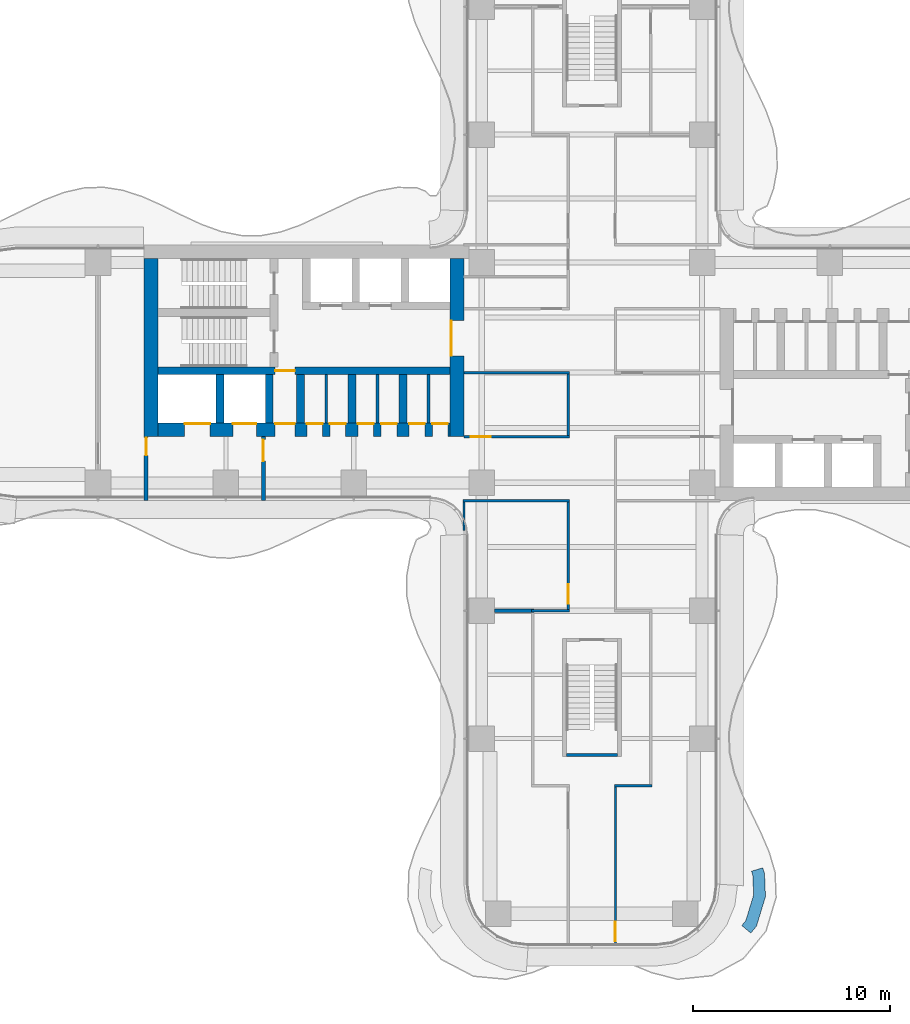
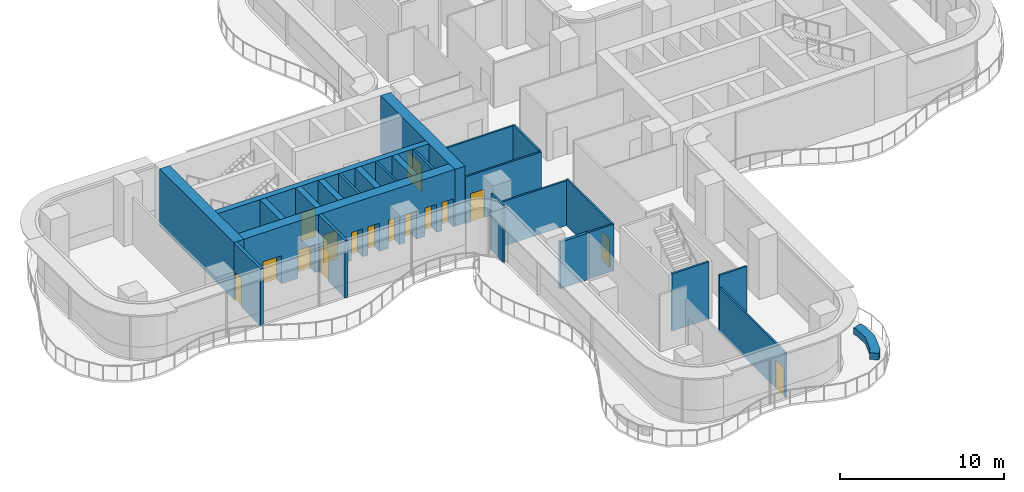
# One storey, part 16 of 21: 26 walls, 16 doors, 16 openings.
"""IFC4 building model written with IfcOpenShell, lengths in metres."""

from ifc_helpers import new_model, si_unit, direction, frame, frame_2d, origin, place, context, subcontext, project, spatial, polyline, rectangle, outline, extrude, source, transform, mapped, material, layer, layer_set, type_object, element, fill, save


model = new_model("IFC4")

# Units and contexts
model_context = context("Model", 3, precision=1e-05, world=origin(), true_north=direction((0.0, 1.0)))
body_context = subcontext(model_context, "Body", "Model", "MODEL_VIEW")
ifc_project = project(units=[si_unit("LENGTHUNIT", "METRE"), si_unit("AREAUNIT", "SQUARE_METRE"), si_unit("VOLUMEUNIT", "CUBIC_METRE"), si_unit("PLANEANGLEUNIT", "RADIAN"), si_unit("MASSUNIT", "GRAM", prefix="KILO")], contexts=[model_context])

# Site, building, storey
site_placement = place(None, origin())
site = spatial("IfcSite", under=ifc_project, at=site_placement, CompositionType="ELEMENT")
building_placement = place(site_placement, origin())
building = spatial("IfcBuilding", under=site, at=building_placement, Name="Trellis Farm Tower", CompositionType="ELEMENT")
storey_placement = place(building_placement, frame((0.0, 0.0, 115.5)))
storey = spatial("IfcBuildingStorey", under=building, at=storey_placement, Name="L24", CompositionType="ELEMENT", Elevation=115.5)

# Wall
ifc_material_1 = material(Name="Sandstone faced masonry planter", Category="masonry")
ifc_layer_1 = layer(ifc_material_1, 0.60009765625)
ifc_layer_set_1 = layer_set([ifc_layer_1], Name="PLANTER BED 600")
wall_type_1 = type_object("IfcWallType", Name="PLANTER BED 600", PredefinedType="USERDEFINED", material=ifc_layer_set_1)
wall_1_placement = place(storey_placement, origin())
element("IfcWall", 1, at=wall_1_placement, inside=storey, type_object=wall_type_1, Name="PLANTER bed", ObjectType="PLANTER", PredefinedType="USERDEFINED", context=body_context, shape_type="SweptSolid", body=[
    extrude(outline(polyline([(8.822998046875, -26.627685546875), (8.363525390625, -28.135498046875), (8.07666015625, -28.4814453125), (7.61474609375, -28.098388671875), (7.82470703125, -27.84521484375), (8.21923828125, -26.550048828125), (8.179443359375, -25.559814453125), (8.112548828125, -25.335205078125), (8.6875, -25.163818359375), (8.77587890625, -25.460693359375), (8.822998046875, -26.627685546875)])), origin(), (0.0, 0.0, 1.0), 0.5),
])

# Wall, opening, door
ifc_material_2 = material(Name="Concrete C70/85", Category="concrete")
ifc_layer_2 = layer(ifc_material_2, 0.699951171875)
ifc_layer_set_2 = layer_set([ifc_layer_2], Name="CORE OUTER WALL 700 CONCRETE C70/85")
wall_type_2 = type_object("IfcWallType", Name="CORE OUTER WALL 700 CONCRETE C70/85", PredefinedType="SHEAR", material=ifc_layer_set_2)
shared_shape_1 = source(origin(), body_context, "Body", "SweptSolid", [
    extrude(rectangle(XDim=9.050048828125, YDim=0.699951171875, at=frame_2d((4.52490234375, 0.0))), origin(), (0.0, 0.0, 1.0), 4.25),
])
wall_2_placement = place(storey_placement, frame((-6.85009765625, 5.800048828125, 0.0), z_axis=(0.0, 0.0, 1.0), x_axis=(0.0, -1.0, 0.0)))
wall_2 = element("IfcWall", 2, at=wall_2_placement, inside=storey, type_object=wall_type_2, Name="Core wall", PredefinedType="SHEAR", context=body_context, shape_type="MappedRepresentation", body=[
    mapped(shared_shape_1, transform((0.0, 0.0, 0.0))),
])
shared_shape_2 = source(origin(), body_context, "Body", "SweptSolid", [
    extrude(rectangle(XDim=1.800048828125, YDim=2.10009765625, at=frame_2d((0.89990234375, 1.050048828125))), frame((0.0, 0.360107421875, 0.0), z_axis=(0.0, -1.0, 0.0), x_axis=(1.0, 0.0, 0.0)), (0.0, 0.0, 1.0), 0.72021484375),
])
opening_1_placement = place(wall_2_placement, frame((3.14990234375, 0.0, 0.0)))
opening_1 = element("IfcOpeningElement", 3, at=opening_1_placement, cuts=wall_2, Name="Opening DC87", PredefinedType="OPENING", context=body_context, shape_type="MappedRepresentation", body=[
    mapped(shared_shape_2, transform((0.0, 0.0, 0.0))),
])
ifc_material_3 = material(Name="Steel", Category="steel")
door_type_1 = type_object("IfcDoorType", Name="CORE FIRE DOOR DOUBLE 1800 X 2100", OperationType="DOUBLE_DOOR_SINGLE_SWING", PredefinedType="DOOR", material=ifc_material_3)
shared_shape_3 = source(origin(), body_context, "Body", "SweptSolid", [
    extrude(rectangle(XDim=1.800048828125, YDim=2.10009765625, at=frame_2d((0.89990234375, 1.050048828125))), frame((0.0, -0.27490234375, 0.0), z_axis=(0.0, -1.0, 0.0), x_axis=(1.0, 0.0, 0.0)), (0.0, 0.0, 1.0), 0.050048828125),
])
door_1_placement = place(opening_1_placement, origin())
door_1 = element("IfcDoor", 4, at=door_1_placement, inside=storey, type_object=door_type_1, Name="Core door", OperationType="DOUBLE_DOOR_SINGLE_SWING", OverallHeight=2.10009765625, OverallWidth=1.800048828125, PredefinedType="DOOR", context=body_context, shape_type="MappedRepresentation", body=[
    mapped(shared_shape_3, transform((0.0, 0.0, 0.0))),
])
fill(opening_1, door_1)

# Walls
wall_3_placement = place(storey_placement, frame((-22.39990234375, 5.800048828125, 0.0), z_axis=(0.0, 0.0, 1.0), x_axis=(0.0, -1.0, 0.0)))
element("IfcWall", 5, at=wall_3_placement, inside=storey, type_object=wall_type_2, Name="Core wall", PredefinedType="SHEAR", context=body_context, shape_type="MappedRepresentation", body=[
    mapped(shared_shape_1, transform((0.0, 0.0, 0.0))),
])
ifc_layer_3 = layer(ifc_material_2, 0.39990234375)
ifc_layer_set_3 = layer_set([ifc_layer_3], Name="CORE INNER WALL 400 CONCRETE C70/85")
wall_type_3 = type_object("IfcWallType", Name="CORE INNER WALL 400 CONCRETE C70/85", PredefinedType="SHEAR", material=ifc_layer_set_3)
shared_shape_4 = source(origin(), body_context, "Body", "SweptSolid", [
    extrude(rectangle(XDim=2.449951171875, YDim=0.39990234375, at=frame_2d((1.22509765625, 0.0))), origin(), (0.0, 0.0, 1.0), 4.25),
])
for number, where, z_axis, x_axis, name in (
    (6, (-9.60009765625, -0.10009765625, 0.0), (0.0, 0.0, 1.0), (0.0, -1.0, 0.0), "Core wall"),
    (7, (-12.199951171875, -0.10009765625, 0.0), (0.0, 0.0, 1.0), (0.0, -1.0, 0.0), "Core wall"),
    (8, (-14.800048828125, -0.10009765625, 0.0), (0.0, 0.0, 1.0), (0.0, -1.0, 0.0), "Core wall"),
    (9, (-16.39990234375, -0.10009765625, 0.0), (0.0, 0.0, 1.0), (0.0, -1.0, 0.0), "Core wall"),
    (10, (-18.89990234375, -0.10009765625, 0.0), (0.0, 0.0, 1.0), (0.0, -1.0, 0.0), "Core wall"),
):
    element("IfcWall", number, at=place(storey_placement, frame(where, z_axis=z_axis, x_axis=x_axis)), inside=storey, type_object=wall_type_3, Name=name, PredefinedType="SHEAR", context=body_context, shape_type="MappedRepresentation", body=[
        mapped(shared_shape_4, transform((0.0, 0.0, 0.0))),
    ])

# Wall, opening, door
ifc_material_4 = material(Name="Masonry blockwork", Category="masonry")
ifc_layer_4 = layer(ifc_material_4, 0.199951171875)
ifc_layer_set_4 = layer_set([ifc_layer_4], Name="FIRE LOBBY PARTITION 200 BLOCKWORK")
wall_type_4 = type_object("IfcWallType", Name="FIRE LOBBY PARTITION 200 BLOCKWORK", PredefinedType="PARTITIONING", material=ifc_layer_set_4)
shared_shape_5 = source(origin(), body_context, "Body", "SweptSolid", [
    extrude(rectangle(XDim=3.25, YDim=0.199951171875, at=frame_2d((1.625, 0.0))), origin(), (0.0, 0.0, 1.0), 4.25),
])
wall_4_placement = place(storey_placement, frame((-16.699951171875, -3.25, 0.0), z_axis=(0.0, 0.0, 1.0), x_axis=(0.0, -1.0, 0.0)))
wall_4 = element("IfcWall", 11, at=wall_4_placement, inside=storey, type_object=wall_type_4, Name="Fire-fighting lobby partition", PredefinedType="PARTITIONING", context=body_context, shape_type="MappedRepresentation", body=[
    mapped(shared_shape_5, transform((0.0, 0.0, 0.0))),
])
shared_shape_6 = source(origin(), body_context, "Body", "SweptSolid", [
    extrude(rectangle(XDim=1.10009765625, YDim=2.10009765625, at=frame_2d((0.550048828125, 1.050048828125))), frame((0.0, 0.110107421875, 0.0), z_axis=(0.0, -1.0, 0.0), x_axis=(1.0, 0.0, 0.0)), (0.0, 0.0, 1.0), 0.22021484375),
])
opening_2_placement = place(wall_4_placement, frame((0.14990234375, 0.0, 0.0)))
opening_2 = element("IfcOpeningElement", 12, at=opening_2_placement, cuts=wall_4, Name="Opening DC93", PredefinedType="OPENING", context=body_context, shape_type="MappedRepresentation", body=[
    mapped(shared_shape_6, transform((0.0, 0.0, 0.0))),
])
door_type_2 = type_object("IfcDoorType", Name="CORE FIRE DOOR 1100 X 2100", OperationType="NOTDEFINED", PredefinedType="DOOR", material=ifc_material_3)
shared_shape_7 = source(origin(), body_context, "Body", "SweptSolid", [
    extrude(rectangle(XDim=1.10009765625, YDim=2.10009765625, at=frame_2d((0.550048828125, 1.050048828125))), frame((0.0, 0.02490234375, 0.0), z_axis=(0.0, -1.0, 0.0), x_axis=(1.0, 0.0, 0.0)), (0.0, 0.0, 1.0), 0.050048828125),
])
door_2_placement = place(opening_2_placement, origin())
door_2 = element("IfcDoor", 13, at=door_2_placement, inside=storey, type_object=door_type_2, Name="Core door", OperationType="SINGLE_SWING_RIGHT", OverallHeight=2.10009765625, OverallWidth=1.10009765625, PredefinedType="DOOR", context=body_context, shape_type="MappedRepresentation", body=[
    mapped(shared_shape_7, transform((0.0, 0.0, 0.0))),
])
fill(opening_2, door_2)

wall_5_placement = place(storey_placement, frame((-22.64990234375, -3.25, 0.0), z_axis=(0.0, 0.0, 1.0), x_axis=(0.0, -1.0, 0.0)))
wall_5 = element("IfcWall", 14, at=wall_5_placement, inside=storey, type_object=wall_type_4, Name="Fire-fighting lobby partition", PredefinedType="PARTITIONING", context=body_context, shape_type="MappedRepresentation", body=[
    mapped(shared_shape_5, transform((0.0, 0.0, 0.0))),
])
shared_shape_8 = source(origin(), body_context, "Body", "SweptSolid", [
    extrude(rectangle(XDim=0.89990234375, YDim=2.10009765625, at=frame_2d((0.449951171875, 1.050048828125))), frame((0.0, 0.110107421875, 0.0), z_axis=(0.0, -1.0, 0.0), x_axis=(1.0, 0.0, 0.0)), (0.0, 0.0, 1.0), 0.22021484375),
])
opening_3_placement = place(wall_5_placement, frame((0.050048828125, 0.0, 0.0)))
opening_3 = element("IfcOpeningElement", 15, at=opening_3_placement, cuts=wall_5, Name="Opening DC94", PredefinedType="OPENING", context=body_context, shape_type="MappedRepresentation", body=[
    mapped(shared_shape_8, transform((0.0, 0.0, 0.0))),
])
door_type_3 = type_object("IfcDoorType", Name="CORE FIRE DOOR 900 X 2100", OperationType="NOTDEFINED", PredefinedType="DOOR", material=ifc_material_3)
shared_shape_9 = source(origin(), body_context, "Body", "SweptSolid", [
    extrude(rectangle(XDim=0.89990234375, YDim=2.10009765625, at=frame_2d((0.449951171875, 1.050048828125))), frame((0.0, 0.02490234375, 0.0), z_axis=(0.0, -1.0, 0.0), x_axis=(1.0, 0.0, 0.0)), (0.0, 0.0, 1.0), 0.050048828125),
])
door_3_placement = place(opening_3_placement, origin())
door_3 = element("IfcDoor", 16, at=door_3_placement, inside=storey, type_object=door_type_3, Name="Core door", OperationType="SINGLE_SWING_RIGHT", OverallHeight=2.10009765625, OverallWidth=0.89990234375, PredefinedType="DOOR", context=body_context, shape_type="MappedRepresentation", body=[
    mapped(shared_shape_9, transform((0.0, 0.0, 0.0))),
])
fill(opening_3, door_3)

# Wall, openings, doors
shared_shape_10 = source(origin(), body_context, "Body", "SweptSolid", [
    extrude(rectangle(XDim=14.85009765625, YDim=0.699951171875, at=frame_2d((7.425048828125, 0.0))), origin(), (0.0, 0.0, 1.0), 4.25),
])
wall_6_placement = place(storey_placement, frame((-7.199951171875, -2.89990234375, 0.0), z_axis=(0.0, 0.0, 1.0), x_axis=(-1.0, 0.0, 0.0)))
wall_6 = element("IfcWall", 17, at=wall_6_placement, inside=storey, type_object=wall_type_2, Name="Core wall", PredefinedType="SHEAR", context=body_context, shape_type="MappedRepresentation", body=[
    mapped(shared_shape_10, transform((0.0, 0.0, 0.0))),
])
shared_shape_11 = source(origin(), body_context, "Body", "SweptSolid", [
    extrude(rectangle(XDim=1.300048828125, YDim=2.10009765625, at=frame_2d((0.64990234375, 1.050048828125))), frame((0.0, 0.360107421875, 0.0), z_axis=(0.0, -1.0, 0.0), x_axis=(1.0, 0.0, 0.0)), (0.0, 0.0, 1.0), 0.72021484375),
])
opening_4_placement = place(wall_6_placement, frame((12.199951171875, 0.0, 0.0)))
opening_4 = element("IfcOpeningElement", 18, at=opening_4_placement, cuts=wall_6, Name="Opening LD15", PredefinedType="OPENING", context=body_context, shape_type="MappedRepresentation", body=[
    mapped(shared_shape_11, transform((0.0, 0.0, 0.0))),
])
shared_shape_12 = source(origin(), body_context, "Body", "SweptSolid", [
    extrude(rectangle(XDim=1.199951171875, YDim=2.10009765625, at=frame_2d((0.60009765625, 1.050048828125))), frame((0.0, 0.360107421875, 0.0), z_axis=(0.0, -1.0, 0.0), x_axis=(1.0, 0.0, 0.0)), (0.0, 0.0, 1.0), 0.72021484375),
])
opening_5_placement = place(wall_6_placement, frame((9.85009765625, 0.0, 0.0)))
opening_5 = element("IfcOpeningElement", 19, at=opening_5_placement, cuts=wall_6, Name="Opening LD16", PredefinedType="OPENING", context=body_context, shape_type="MappedRepresentation", body=[
    mapped(shared_shape_12, transform((0.0, 0.0, 0.0))),
])
shared_shape_13 = source(origin(), body_context, "Body", "SweptSolid", [
    extrude(rectangle(XDim=1.0, YDim=2.10009765625, at=frame_2d((0.5, 1.050048828125))), frame((0.0, 0.360107421875, 0.0), z_axis=(0.0, -1.0, 0.0), x_axis=(1.0, 0.0, 0.0)), (0.0, 0.0, 1.0), 0.72021484375),
])
opening_6_placement = place(wall_6_placement, frame((7.89990234375, 0.0, 0.0)))
opening_6 = element("IfcOpeningElement", 20, at=opening_6_placement, cuts=wall_6, Name="Opening DC92", PredefinedType="OPENING", context=body_context, shape_type="MappedRepresentation", body=[
    mapped(shared_shape_13, transform((0.0, 0.0, 0.0))),
])
shared_shape_14 = source(origin(), body_context, "Body", "SweptSolid", [
    extrude(rectangle(XDim=0.800048828125, YDim=2.10009765625, at=frame_2d((0.39990234375, 1.050048828125))), frame((0.0, 0.360107421875, 0.0), z_axis=(0.0, -1.0, 0.0), x_axis=(1.0, 0.0, 0.0)), (0.0, 0.0, 1.0), 0.72021484375),
])
opening_7_placement = place(wall_6_placement, frame((0.112548828125, 0.0, 0.0)))
opening_7 = element("IfcOpeningElement", 21, at=opening_7_placement, cuts=wall_6, Name="Opening DC95", PredefinedType="OPENING", context=body_context, shape_type="MappedRepresentation", body=[
    mapped(shared_shape_14, transform((0.0, 0.0, 0.0))),
])
opening_8_placement = place(wall_6_placement, frame((1.28759765625, 0.0, 0.0)))
opening_8 = element("IfcOpeningElement", 22, at=opening_8_placement, cuts=wall_6, Name="Opening DC102", PredefinedType="OPENING", context=body_context, shape_type="MappedRepresentation", body=[
    mapped(shared_shape_14, transform((0.0, 0.0, 0.0))),
])
opening_9_placement = place(wall_6_placement, frame((2.71240234375, 0.0, 0.0)))
opening_9 = element("IfcOpeningElement", 23, at=opening_9_placement, cuts=wall_6, Name="Opening DC107", PredefinedType="OPENING", context=body_context, shape_type="MappedRepresentation", body=[
    mapped(shared_shape_14, transform((0.0, 0.0, 0.0))),
])
opening_10_placement = place(wall_6_placement, frame((3.887451171875, 0.0, 0.0)))
opening_10 = element("IfcOpeningElement", 24, at=opening_10_placement, cuts=wall_6, Name="Opening DC114", PredefinedType="OPENING", context=body_context, shape_type="MappedRepresentation", body=[
    mapped(shared_shape_14, transform((0.0, 0.0, 0.0))),
])
opening_11_placement = place(wall_6_placement, frame((5.3125, 0.0, 0.0)))
opening_11 = element("IfcOpeningElement", 25, at=opening_11_placement, cuts=wall_6, Name="Opening DC119", PredefinedType="OPENING", context=body_context, shape_type="MappedRepresentation", body=[
    mapped(shared_shape_14, transform((0.0, 0.0, 0.0))),
])
opening_12_placement = place(wall_6_placement, frame((6.487548828125, 0.0, 0.0)))
opening_12 = element("IfcOpeningElement", 26, at=opening_12_placement, cuts=wall_6, Name="Opening DC126", PredefinedType="OPENING", context=body_context, shape_type="MappedRepresentation", body=[
    mapped(shared_shape_14, transform((0.0, 0.0, 0.0))),
])
door_type_4 = type_object("IfcDoorType", Name="CORE FIRE DOOR 1000 X 2100", OperationType="NOTDEFINED", PredefinedType="DOOR", material=ifc_material_3)
shared_shape_15 = source(origin(), body_context, "Body", "SweptSolid", [
    extrude(rectangle(XDim=1.0, YDim=2.10009765625, at=frame_2d((0.5, 1.050048828125))), frame((0.0, -0.27490234375, 0.0), z_axis=(0.0, -1.0, 0.0), x_axis=(1.0, 0.0, 0.0)), (0.0, 0.0, 1.0), 0.050048828125),
])
door_4_placement = place(opening_6_placement, origin())
door_4 = element("IfcDoor", 27, at=door_4_placement, inside=storey, type_object=door_type_4, Name="Core door", OperationType="SINGLE_SWING_LEFT", OverallHeight=2.10009765625, OverallWidth=1.0, PredefinedType="DOOR", context=body_context, shape_type="MappedRepresentation", body=[
    mapped(shared_shape_15, transform((0.0, 0.0, 0.0))),
])
fill(opening_6, door_4)
ifc_material_5 = material(Name="Stainless steel", Category="steel")
door_type_5 = type_object("IfcDoorType", Name="LIFT LANDING DOOR 1300 X 2100", OperationType="DOUBLE_DOOR_SLIDING", PredefinedType="DOOR", material=ifc_material_5)
shared_shape_16 = source(origin(), body_context, "Body", "SweptSolid", [
    extrude(rectangle(XDim=1.300048828125, YDim=2.10009765625, at=frame_2d((0.64990234375, 1.050048828125))), frame((0.0, -0.27490234375, 0.0), z_axis=(0.0, -1.0, 0.0), x_axis=(1.0, 0.0, 0.0)), (0.0, 0.0, 1.0), 0.050048828125),
])
door_5_placement = place(opening_4_placement, origin())
door_5 = element("IfcDoor", 28, at=door_5_placement, inside=storey, type_object=door_type_5, Name="Lift landing door", OperationType="DOUBLE_DOOR_SLIDING", OverallHeight=2.10009765625, OverallWidth=1.300048828125, PredefinedType="DOOR", context=body_context, shape_type="MappedRepresentation", body=[
    mapped(shared_shape_16, transform((0.0, 0.0, 0.0))),
])
fill(opening_4, door_5)
door_type_6 = type_object("IfcDoorType", Name="LIFT LANDING DOOR 1200 X 2100", OperationType="DOUBLE_DOOR_SLIDING", PredefinedType="DOOR", material=ifc_material_5)
shared_shape_17 = source(origin(), body_context, "Body", "SweptSolid", [
    extrude(rectangle(XDim=1.199951171875, YDim=2.10009765625, at=frame_2d((0.60009765625, 1.050048828125))), frame((0.0, -0.27490234375, 0.0), z_axis=(0.0, -1.0, 0.0), x_axis=(1.0, 0.0, 0.0)), (0.0, 0.0, 1.0), 0.050048828125),
])
door_6_placement = place(opening_5_placement, origin())
door_6 = element("IfcDoor", 29, at=door_6_placement, inside=storey, type_object=door_type_6, Name="Lift landing door", OperationType="DOUBLE_DOOR_SLIDING", OverallHeight=2.10009765625, OverallWidth=1.199951171875, PredefinedType="DOOR", context=body_context, shape_type="MappedRepresentation", body=[
    mapped(shared_shape_17, transform((0.0, 0.0, 0.0))),
])
fill(opening_5, door_6)
door_type_7 = type_object("IfcDoorType", Name="CORE FIRE DOOR 800 X 2100", OperationType="NOTDEFINED", PredefinedType="DOOR", material=ifc_material_3)
shared_shape_18 = source(origin(), body_context, "Body", "SweptSolid", [
    extrude(rectangle(XDim=0.800048828125, YDim=2.10009765625, at=frame_2d((0.39990234375, 1.050048828125))), frame((0.0, -0.27490234375, 0.0), z_axis=(0.0, -1.0, 0.0), x_axis=(1.0, 0.0, 0.0)), (0.0, 0.0, 1.0), 0.050048828125),
])
door_7_placement = place(opening_7_placement, origin())
door_7 = element("IfcDoor", 30, at=door_7_placement, inside=storey, type_object=door_type_7, Name="Core door", OperationType="SINGLE_SWING_LEFT", OverallHeight=2.10009765625, OverallWidth=0.800048828125, PredefinedType="DOOR", context=body_context, shape_type="MappedRepresentation", body=[
    mapped(shared_shape_18, transform((0.0, 0.0, 0.0))),
])
fill(opening_7, door_7)
door_8_placement = place(opening_8_placement, origin())
door_8 = element("IfcDoor", 31, at=door_8_placement, inside=storey, type_object=door_type_7, Name="Core door", OperationType="SINGLE_SWING_RIGHT", OverallHeight=2.10009765625, OverallWidth=0.800048828125, PredefinedType="DOOR", context=body_context, shape_type="MappedRepresentation", body=[
    mapped(shared_shape_18, transform((0.0, 0.0, 0.0))),
])
fill(opening_8, door_8)
door_9_placement = place(opening_9_placement, origin())
door_9 = element("IfcDoor", 32, at=door_9_placement, inside=storey, type_object=door_type_7, Name="Core door", OperationType="SINGLE_SWING_LEFT", OverallHeight=2.10009765625, OverallWidth=0.800048828125, PredefinedType="DOOR", context=body_context, shape_type="MappedRepresentation", body=[
    mapped(shared_shape_18, transform((0.0, 0.0, 0.0))),
])
fill(opening_9, door_9)
door_10_placement = place(opening_10_placement, origin())
door_10 = element("IfcDoor", 33, at=door_10_placement, inside=storey, type_object=door_type_7, Name="Core door", OperationType="SINGLE_SWING_RIGHT", OverallHeight=2.10009765625, OverallWidth=0.800048828125, PredefinedType="DOOR", context=body_context, shape_type="MappedRepresentation", body=[
    mapped(shared_shape_18, transform((0.0, 0.0, 0.0))),
])
fill(opening_10, door_10)
door_11_placement = place(opening_11_placement, origin())
door_11 = element("IfcDoor", 34, at=door_11_placement, inside=storey, type_object=door_type_7, Name="Core door", OperationType="SINGLE_SWING_LEFT", OverallHeight=2.10009765625, OverallWidth=0.800048828125, PredefinedType="DOOR", context=body_context, shape_type="MappedRepresentation", body=[
    mapped(shared_shape_18, transform((0.0, 0.0, 0.0))),
])
fill(opening_11, door_11)
door_12_placement = place(opening_12_placement, origin())
door_12 = element("IfcDoor", 35, at=door_12_placement, inside=storey, type_object=door_type_7, Name="Core door", OperationType="SINGLE_SWING_RIGHT", OverallHeight=2.10009765625, OverallWidth=0.800048828125, PredefinedType="DOOR", context=body_context, shape_type="MappedRepresentation", body=[
    mapped(shared_shape_18, transform((0.0, 0.0, 0.0))),
])
fill(opening_12, door_12)

# Wall, opening, door
shared_shape_19 = source(origin(), body_context, "Body", "SweptSolid", [
    extrude(rectangle(XDim=14.85009765625, YDim=0.39990234375, at=frame_2d((7.425048828125, 0.0))), origin(), (0.0, 0.0, 1.0), 4.25),
])
wall_7_placement = place(storey_placement, frame((-7.199951171875, 0.10009765625, 0.0), z_axis=(0.0, 0.0, 1.0), x_axis=(-1.0, 0.0, 0.0)))
wall_7 = element("IfcWall", 36, at=wall_7_placement, inside=storey, type_object=wall_type_3, Name="Core wall", PredefinedType="SHEAR", context=body_context, shape_type="MappedRepresentation", body=[
    mapped(shared_shape_19, transform((0.0, 0.0, 0.0))),
])
shared_shape_20 = source(origin(), body_context, "Body", "SweptSolid", [
    extrude(rectangle(XDim=1.0, YDim=2.10009765625, at=frame_2d((0.5, 1.050048828125))), frame((0.0, 0.2099609375, 0.0), z_axis=(0.0, -1.0, 0.0), x_axis=(1.0, 0.0, 0.0)), (0.0, 0.0, 1.0), 0.419921875),
])
opening_13_placement = place(wall_7_placement, frame((7.89990234375, 0.0, 0.0)))
opening_13 = element("IfcOpeningElement", 37, at=opening_13_placement, cuts=wall_7, Name="Opening DC91", PredefinedType="OPENING", context=body_context, shape_type="MappedRepresentation", body=[
    mapped(shared_shape_20, transform((0.0, 0.0, 0.0))),
])
shared_shape_21 = source(origin(), body_context, "Body", "SweptSolid", [
    extrude(rectangle(XDim=1.0, YDim=2.10009765625, at=frame_2d((0.5, 1.050048828125))), frame((0.0, 0.02490234375, 0.0), z_axis=(0.0, -1.0, 0.0), x_axis=(1.0, 0.0, 0.0)), (0.0, 0.0, 1.0), 0.050048828125),
])
door_13_placement = place(opening_13_placement, origin())
door_13 = element("IfcDoor", 38, at=door_13_placement, inside=storey, type_object=door_type_4, Name="Core door", OperationType="SINGLE_SWING_RIGHT", OverallHeight=2.10009765625, OverallWidth=1.0, PredefinedType="DOOR", context=body_context, shape_type="MappedRepresentation", body=[
    mapped(shared_shape_21, transform((0.0, 0.0, 0.0))),
])
fill(opening_13, door_13)

# Walls
ifc_layer_5 = layer(ifc_material_4, 0.14990234375)
ifc_layer_set_5 = layer_set([ifc_layer_5], Name="CORE PARTITION 150 BLOCKWORK")
wall_type_5 = type_object("IfcWallType", Name="CORE PARTITION 150 BLOCKWORK", PredefinedType="PARTITIONING", material=ifc_layer_set_5)
shared_shape_22 = source(origin(), body_context, "Body", "SweptSolid", [
    extrude(rectangle(XDim=2.449951171875, YDim=0.14990234375, at=frame_2d((1.22509765625, 0.0))), origin(), (0.0, 0.0, 1.0), 4.25),
])
for number, where, z_axis, x_axis, name in (
    (39, (-8.300048828125, -0.10009765625, 0.0), (0.0, 0.0, 1.0), (0.0, -1.0, 0.0), "Core room partition"),
    (40, (-10.89990234375, -0.10009765625, 0.0), (0.0, 0.0, 1.0), (0.0, -1.0, 0.0), "Core room partition"),
    (41, (-13.5, -0.10009765625, 0.0), (0.0, 0.0, 1.0), (0.0, -1.0, 0.0), "Core room partition"),
):
    element("IfcWall", number, at=place(storey_placement, frame(where, z_axis=z_axis, x_axis=x_axis)), inside=storey, type_object=wall_type_5, Name=name, PredefinedType="PARTITIONING", context=body_context, shape_type="MappedRepresentation", body=[
        mapped(shared_shape_22, transform((0.0, 0.0, 0.0))),
    ])
ifc_layer_6 = layer(ifc_material_2, 0.14990234375)
ifc_layer_set_6 = layer_set([ifc_layer_6], Name="CORE STAIR ENCLOSURE WALL 150 CONCRETE C70/85")
wall_type_6 = type_object("IfcWallType", Name="CORE STAIR ENCLOSURE WALL 150 CONCRETE C70/85", PredefinedType="SHEAR", material=ifc_layer_set_6)
shared_shape_23 = source(origin(), body_context, "Body", "SweptSolid", [
    extrude(rectangle(XDim=2.60009765625, YDim=0.14990234375, at=frame_2d((1.300048828125, 0.0))), origin(), (0.0, 0.0, 1.0), 4.25),
])
wall_8_placement = place(storey_placement, frame((1.300048828125, -19.425048828125, 0.0), z_axis=(0.0, 0.0, 1.0), x_axis=(-1.0, 0.0, 0.0)))
element("IfcWall", 42, at=wall_8_placement, inside=storey, type_object=wall_type_6, Name="Stair enclosure wall", PredefinedType="SHEAR", context=body_context, shape_type="MappedRepresentation", body=[
    mapped(shared_shape_23, transform((0.0, 0.0, 0.0))),
])
ifc_material_6 = material(Name="Plasterboard on steel studs, mineral wool", Category="steel")
ifc_layer_7 = layer(ifc_material_6, 0.125)
ifc_layer_set_7 = layer_set([ifc_layer_7], Name="PARTITION 125 STUD EI 60")
wall_type_7 = type_object("IfcWallType", Name="PARTITION 125 STUD EI 60", PredefinedType="PARTITIONING", material=ifc_layer_set_7)
shared_shape_24 = source(origin(), body_context, "Body", "SweptSolid", [
    extrude(rectangle(XDim=3.125, YDim=0.125, at=frame_2d((1.5625, 0.0))), origin(), (0.0, 0.0, 1.0), 3.54638671875),
])
wall_9_placement = place(storey_placement, frame((-1.199951171875, -0.0625, 0.0), z_axis=(0.0, 0.0, 1.0), x_axis=(0.0, -1.0, 0.0)))
element("IfcWall", 43, at=wall_9_placement, inside=storey, type_object=wall_type_7, Name="Partition PW1", PredefinedType="PARTITIONING", context=body_context, shape_type="MappedRepresentation", body=[
    mapped(shared_shape_24, transform((0.0, 0.0, 0.0))),
])

# Wall, opening, door
shared_shape_25 = source(origin(), body_context, "Body", "SweptSolid", [
    extrude(rectangle(XDim=5.47509765625, YDim=0.125, at=frame_2d((2.737548828125, 0.0))), origin(), (0.0, 0.0, 1.0), 3.4677734375),
])
wall_10_placement = place(storey_placement, frame((-1.199951171875, -6.5625, 0.0), z_axis=(0.0, 0.0, 1.0), x_axis=(0.0, -1.0, 0.0)))
wall_10 = element("IfcWall", 44, at=wall_10_placement, inside=storey, type_object=wall_type_7, Name="Partition PW1", PredefinedType="PARTITIONING", context=body_context, shape_type="MappedRepresentation", body=[
    mapped(shared_shape_25, transform((0.0, 0.0, 0.0))),
])
shared_shape_26 = source(origin(), body_context, "Body", "SweptSolid", [
    extrude(rectangle(XDim=1.0, YDim=2.10009765625, at=frame_2d((0.5, 1.050048828125))), frame((0.0, 0.072509765625, 0.0), z_axis=(0.0, -1.0, 0.0), x_axis=(1.0, 0.0, 0.0)), (0.0, 0.0, 1.0), 0.14501953125),
])
opening_14_placement = place(wall_10_placement, frame((4.1875, 0.0, 0.0)))
opening_14 = element("IfcOpeningElement", 45, at=opening_14_placement, cuts=wall_10, Name="Opening D301", PredefinedType="OPENING", context=body_context, shape_type="MappedRepresentation", body=[
    mapped(shared_shape_26, transform((0.0, 0.0, 0.0))),
])
ifc_material_7 = material(Name="Fire-rated timber door leaf in a hollow metal frame", Category="wood")
door_type_8 = type_object("IfcDoorType", Name="DOOR 1000x2100 FD60", OperationType="NOTDEFINED", PredefinedType="DOOR", material=ifc_material_7)
door_14_placement = place(opening_14_placement, origin())
door_14 = element("IfcDoor", 46, at=door_14_placement, inside=storey, type_object=door_type_8, Name="Door D301", OperationType="SINGLE_SWING_RIGHT", OverallHeight=2.10009765625, OverallWidth=1.0, PredefinedType="DOOR", context=body_context, shape_type="MappedRepresentation", body=[
    mapped(shared_shape_21, transform((0.0, 0.0, 0.0))),
])
fill(opening_14, door_14)

# Walls
shared_shape_27 = source(origin(), body_context, "Body", "SweptSolid", [
    extrude(rectangle(XDim=1.468994140625, YDim=0.125, at=frame_2d((0.734375, 0.0))), origin(), (0.0, 0.0, 1.0), 4.25),
])
wall_11_placement = place(storey_placement, frame((-6.5, -6.5625, 0.0), z_axis=(0.0, 0.0, 1.0), x_axis=(0.0, -1.0, 0.0)))
element("IfcWall", 47, at=wall_11_placement, inside=storey, type_object=wall_type_7, Name="Partition PW1", PredefinedType="PARTITIONING", context=body_context, shape_type="MappedRepresentation", body=[
    mapped(shared_shape_27, transform((0.0, 0.0, 0.0))),
])
shared_shape_28 = source(origin(), body_context, "Body", "SweptSolid", [
    extrude(rectangle(XDim=1.925048828125, YDim=0.125, at=frame_2d((0.96240234375, 0.0))), origin(), (0.0, 0.0, 1.0), 3.4677734375),
])
wall_12_placement = place(storey_placement, frame((-3.0625, -12.10009765625, 0.0), z_axis=(0.0, 0.0, 1.0), x_axis=(1.0, 0.0, 0.0)))
element("IfcWall", 48, at=wall_12_placement, inside=storey, type_object=wall_type_7, Name="Partition PW1", PredefinedType="PARTITIONING", context=body_context, shape_type="MappedRepresentation", body=[
    mapped(shared_shape_28, transform((0.0, 0.0, 0.0))),
])

# Wall, opening, door
shared_shape_29 = source(origin(), body_context, "Body", "SweptSolid", [
    extrude(rectangle(XDim=5.362548828125, YDim=0.125, at=frame_2d((2.68115234375, 0.0))), origin(), (0.0, 0.0, 1.0), 3.4677734375),
])
wall_13_placement = place(storey_placement, frame((-1.137451171875, -3.25, 0.0), z_axis=(0.0, 0.0, 1.0), x_axis=(-1.0, 0.0, 0.0)))
wall_13 = element("IfcWall", 49, at=wall_13_placement, inside=storey, type_object=wall_type_7, Name="Partition PW1", PredefinedType="PARTITIONING", context=body_context, shape_type="MappedRepresentation", body=[
    mapped(shared_shape_29, transform((0.0, 0.0, 0.0))),
])
opening_15_placement = place(wall_13_placement, frame((4.012451171875, 0.0, 0.0)))
opening_15 = element("IfcOpeningElement", 50, at=opening_15_placement, cuts=wall_13, Name="Opening D103", PredefinedType="OPENING", context=body_context, shape_type="MappedRepresentation", body=[
    mapped(shared_shape_26, transform((0.0, 0.0, 0.0))),
])
door_type_9 = type_object("IfcDoorType", Name="DOOR 1000x2100 FD30S", OperationType="NOTDEFINED", PredefinedType="DOOR", material=ifc_material_7)
door_15_placement = place(opening_15_placement, origin())
door_15 = element("IfcDoor", 51, at=door_15_placement, inside=storey, type_object=door_type_9, Name="Door D103", OperationType="SINGLE_SWING_RIGHT", OverallHeight=2.10009765625, OverallWidth=1.0, PredefinedType="DOOR", context=body_context, shape_type="MappedRepresentation", body=[
    mapped(shared_shape_21, transform((0.0, 0.0, 0.0))),
])
fill(opening_15, door_15)

# Walls
wall_14_placement = place(storey_placement, frame((-1.137451171875, 0.0, 0.0), z_axis=(0.0, 0.0, 1.0), x_axis=(-1.0, 0.0, 0.0)))
element("IfcWall", 52, at=wall_14_placement, inside=storey, type_object=wall_type_7, Name="Partition PW1", PredefinedType="PARTITIONING", context=body_context, shape_type="MappedRepresentation", body=[
    mapped(shared_shape_29, transform((0.0, 0.0, 0.0))),
])
shared_shape_30 = source(origin(), body_context, "Body", "SweptSolid", [
    extrude(rectangle(XDim=5.425048828125, YDim=0.125, at=frame_2d((2.71240234375, 0.0))), origin(), (0.0, 0.0, 1.0), 3.330078125),
])
wall_15_placement = place(storey_placement, frame((-1.137451171875, -6.5, 0.0), z_axis=(0.0, 0.0, 1.0), x_axis=(-1.0, 0.0, 0.0)))
element("IfcWall", 53, at=wall_15_placement, inside=storey, type_object=wall_type_7, Name="Partition PW1", PredefinedType="PARTITIONING", context=body_context, shape_type="MappedRepresentation", body=[
    mapped(shared_shape_30, transform((0.0, 0.0, 0.0))),
])

# Wall, opening, door
shared_shape_31 = source(origin(), body_context, "Body", "SweptSolid", [
    extrude(rectangle(XDim=7.987548828125, YDim=0.125, at=frame_2d((3.99365234375, 0.0))), origin(), (0.0, 0.0, 1.0), 3.330078125),
])
wall_16_placement = place(storey_placement, frame((1.199951171875, -21.0625, 0.0), z_axis=(0.0, 0.0, 1.0), x_axis=(0.0, -1.0, 0.0)))
wall_16 = element("IfcWall", 54, at=wall_16_placement, inside=storey, type_object=wall_type_7, Name="Partition PW1", PredefinedType="PARTITIONING", context=body_context, shape_type="MappedRepresentation", body=[
    mapped(shared_shape_31, transform((0.0, 0.0, 0.0))),
])
opening_16_placement = place(wall_16_placement, frame((6.83740234375, 0.0, 0.0)))
opening_16 = element("IfcOpeningElement", 55, at=opening_16_placement, cuts=wall_16, Name="Opening D101", PredefinedType="OPENING", context=body_context, shape_type="MappedRepresentation", body=[
    mapped(shared_shape_26, transform((0.0, 0.0, 0.0))),
])
door_16_placement = place(opening_16_placement, origin())
door_16 = element("IfcDoor", 56, at=door_16_placement, inside=storey, type_object=door_type_9, Name="Door D101", OperationType="SINGLE_SWING_RIGHT", OverallHeight=2.10009765625, OverallWidth=1.0, PredefinedType="DOOR", context=body_context, shape_type="MappedRepresentation", body=[
    mapped(shared_shape_21, transform((0.0, 0.0, 0.0))),
])
fill(opening_16, door_16)

# Walls
shared_shape_32 = source(origin(), body_context, "Body", "SweptSolid", [
    extrude(rectangle(XDim=1.925048828125, YDim=0.125, at=frame_2d((0.96240234375, 0.0))), origin(), (0.0, 0.0, 1.0), 4.25),
])
wall_17_placement = place(storey_placement, frame((3.0625, -21.0, 0.0), z_axis=(0.0, 0.0, 1.0), x_axis=(-1.0, 0.0, 0.0)))
element("IfcWall", 57, at=wall_17_placement, inside=storey, type_object=wall_type_7, Name="Partition PW1", PredefinedType="PARTITIONING", context=body_context, shape_type="MappedRepresentation", body=[
    mapped(shared_shape_32, transform((0.0, 0.0, 0.0))),
])
ifc_material_8 = material(Name="Lightweight blockwork, plastered", Category="masonry")
ifc_layer_8 = layer(ifc_material_8, 0.199951171875)
ifc_layer_set_8 = layer_set([ifc_layer_8], Name="BLOCK WALL 200 EI 120")
wall_type_8 = type_object("IfcWallType", Name="BLOCK WALL 200 EI 120", PredefinedType="PARTITIONING", material=ifc_layer_set_8)
shared_shape_33 = source(origin(), body_context, "Body", "SweptSolid", [
    extrude(rectangle(XDim=2.012451171875, YDim=0.199951171875, at=frame_2d((1.00634765625, 0.0))), origin(), (0.0, 0.0, 1.0), 3.4677734375),
])
wall_18_placement = place(storey_placement, frame((-4.949951171875, -12.10009765625, 0.0), z_axis=(0.0, 0.0, 1.0), x_axis=(1.0, 0.0, 0.0)))
element("IfcWall", 58, at=wall_18_placement, inside=storey, type_object=wall_type_8, Name="Partition PW3", PredefinedType="PARTITIONING", context=body_context, shape_type="MappedRepresentation", body=[
    mapped(shared_shape_33, transform((0.0, 0.0, 0.0))),
])

save(model, "model.ifc")
